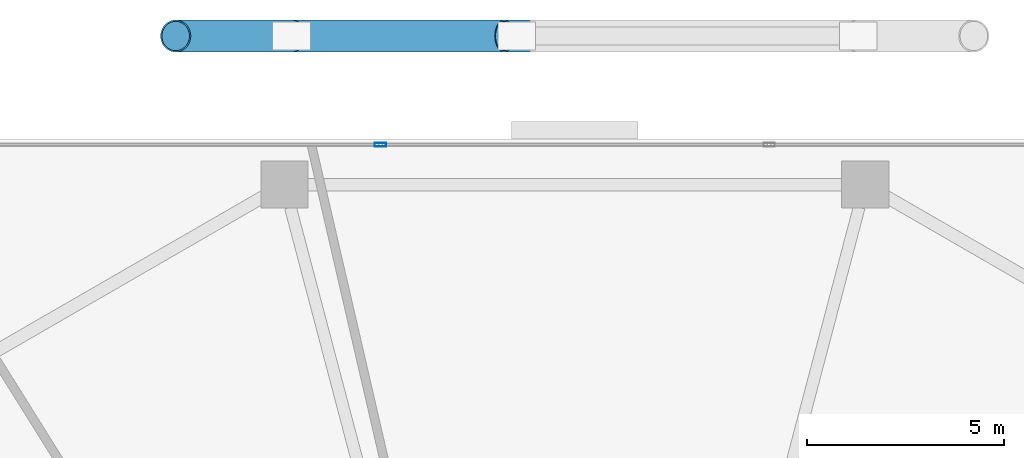
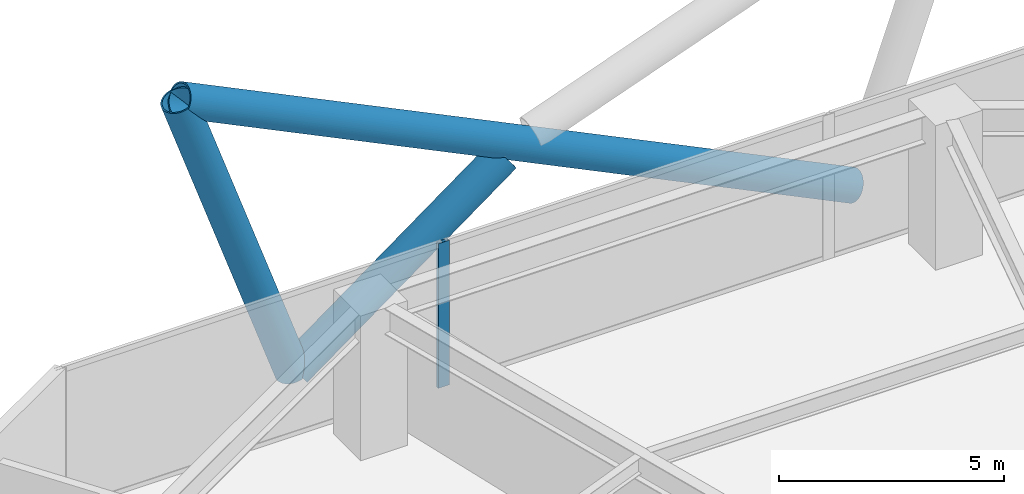
# One storey, part 17 of 30: 4 members, 1 element without a shape of its own.
"""IFC4 building model written with IfcOpenShell, lengths in metres."""

from ifc_helpers import new_model, si_unit, direction, frame, origin, origin_2d, place, context, subcontext, project, spatial, hollow_rectangle, hollow_circle, extrude, material, material_profile, profile_set, type_object, element, aggregate, save


model = new_model("IFC4")

# Units and contexts
model_context = context("Model", 3, precision=1e-05, world=origin(), true_north=direction((0.0, 1.0)))
body_context = subcontext(model_context, "Body", "Model", "MODEL_VIEW")
ifc_project = project(units=[si_unit("LENGTHUNIT", "METRE"), si_unit("AREAUNIT", "SQUARE_METRE"), si_unit("VOLUMEUNIT", "CUBIC_METRE"), si_unit("PLANEANGLEUNIT", "RADIAN"), si_unit("MASSUNIT", "GRAM", prefix="KILO")], contexts=[model_context])

# Site, building, storey
site_placement = place(None, origin())
site = spatial("IfcSite", under=ifc_project, at=site_placement, CompositionType="ELEMENT")
building_placement = place(site_placement, origin())
building = spatial("IfcBuilding", under=site, at=building_placement, Name="Zuhravey Tower", CompositionType="ELEMENT")
storey_placement = place(building_placement, frame((0.0, 0.0, 33.0)))
storey = spatial("IfcBuildingStorey", under=building, at=storey_placement, Name="L08", CompositionType="ELEMENT", Elevation=33.0)

# Curtain wall, member
ifc_material_1 = material(Name="Thermally broken anodised aluminium", Category="aluminium")
curtain_wall_type = type_object("IfcCurtainWallType", Name="School Low-E Unitised Curtain Wall CW1", PredefinedType="NOTDEFINED", material=ifc_material_1)
curtain_wall_placement = place(storey_placement, origin())
curtain_wall = element("IfcCurtainWall", 1, at=curtain_wall_placement, inside=storey, type_object=curtain_wall_type, Name="L08 CW1 CW-L08-F2-1", PredefinedType="NOTDEFINED")
ifc_material_2 = material(Name="Anodised aluminium", Category="aluminium")
ifc_material_profile_1 = material_profile(ifc_material_2, hollow_rectangle(XDim=0.090087890625, YDim=0.284912109375, WallThickness=0.0048828125, at=origin_2d()), Name="ALU-RHS-90x285x5")
ifc_profile_set_1 = profile_set([ifc_material_profile_1], Name="Anodised aluminium")
member_type_1 = type_object("IfcMemberType", Name="Curtain-Wall Mullion 90x180", PredefinedType="MULLION", material=ifc_profile_set_1)
member_1_placement = place(storey_placement, frame((31.06689453125, 60.95849609375, 0.0), z_axis=(0.0, 0.0, 1.0), x_axis=(0.0, 1.0, 0.0)))
member_1 = element("IfcMember", 2, at=member_1_placement, type_object=member_type_1, Name="CW1 mullion 2", PredefinedType="MULLION", context=body_context, shape_type="SweptSolid", body=[
    extrude(hollow_rectangle(XDim=0.090087890625, YDim=0.284912109375, WallThickness=0.0048828125, at=origin_2d()), origin(), (0.0, 0.0, 1.0), 3.919921875),
])
aggregate(curtain_wall, [member_1])

# Members
ifc_material_3 = material(Name="Steel SM460", Category="steel")
ifc_material_profile_2 = material_profile(ifc_material_3, hollow_circle(Radius=0.406494140625, WallThickness=0.035888671875, at=origin_2d()), Name="CHS-812.8x36")
ifc_profile_set_2 = profile_set([ifc_material_profile_2], Name="Steel SM460")
member_type_2 = type_object("IfcMemberType", Name="Exoskeleton Zone 1 Diagrid CHS813x36", PredefinedType="BRACE", material=ifc_profile_set_2)
member_2_placement = place(storey_placement, frame((43.1484375, 63.718505859375, -0.471923828125), z_axis=(-0.899869583891, 0.0, 0.436159067299), x_axis=(0.0, -1.0, 0.0)))
element("IfcMember", 3, at=member_2_placement, inside=storey, type_object=member_type_2, Name="L08 Face 2 Diagrid Brace 2", PredefinedType="BRACE", context=body_context, shape_type="SweptSolid", body=[
    extrude(hollow_circle(Radius=0.406494140625, WallThickness=0.035888671875, at=origin_2d()), origin(), (0.0, 0.0, 1.0), 19.157958984375),
])
member_3_placement = place(storey_placement, frame((28.79833984375, 63.718505859375, -0.471923828125), z_axis=(-0.330642732694, 0.0, 0.943755997764), x_axis=(0.0, -1.0, 0.0)))
element("IfcMember", 4, at=member_3_placement, inside=storey, type_object=member_type_2, Name="L08 Face 2 Diagrid Brace 4", PredefinedType="BRACE", context=body_context, shape_type="SweptSolid", body=[
    extrude(hollow_circle(Radius=0.406494140625, WallThickness=0.035888671875, at=origin_2d()), origin(), (0.0, 0.0, 1.0), 8.85400390625),
])
member_4_placement = place(storey_placement, frame((28.8466796875, 63.718505859375, -0.464111328125), z_axis=(0.806163372301, 0.0, 0.59169300922), x_axis=(0.0, 1.0, 0.0)))
element("IfcMember", 5, at=member_4_placement, inside=storey, type_object=member_type_2, Name="L08 Face 2 Split Diagrid Brace 3A", PredefinedType="BRACE", context=body_context, shape_type="SweptSolid", body=[
    extrude(hollow_circle(Radius=0.406494140625, WallThickness=0.035888671875, at=origin_2d()), origin(), (0.0, 0.0, 1.0), 6.6513671875),
])

save(model, "model.ifc")
